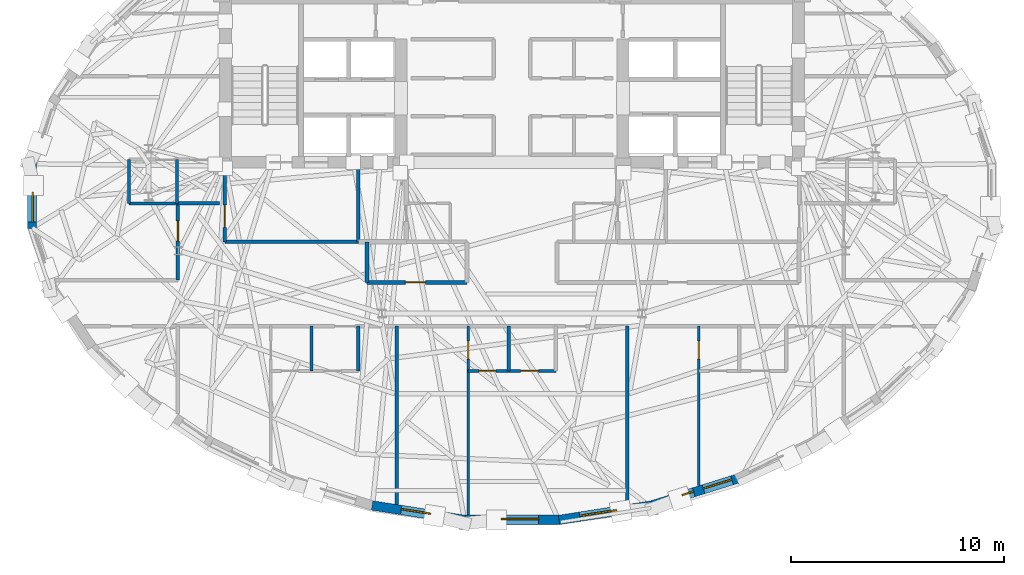
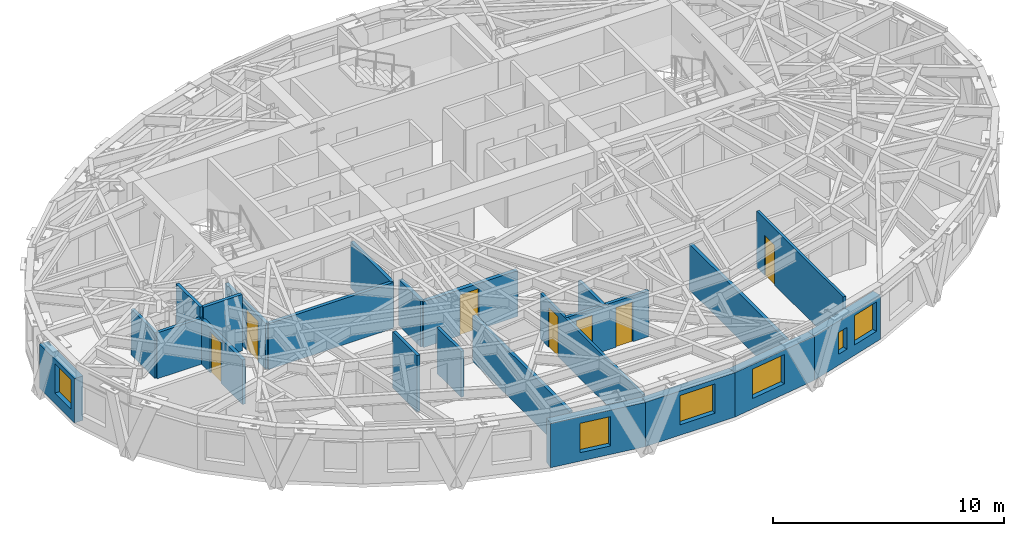
# One storey, part 6 of 14: 23 walls, 7 doors, 6 windows, 13 openings.
"""IFC4 building model written with IfcOpenShell, lengths in metres."""

from ifc_helpers import new_model, si_unit, direction, frame, frame_2d, origin, place, context, subcontext, project, spatial, rectangle, extrude, material, layer, layer_set, type_object, element, fill, save


model = new_model("IFC4")

# Units and contexts
model_context = context("Model", 3, precision=1e-05, world=origin(), true_north=direction((0.0, 1.0)))
body_context = subcontext(model_context, "Body", "Model", "MODEL_VIEW")
ifc_project = project(units=[si_unit("LENGTHUNIT", "METRE"), si_unit("AREAUNIT", "SQUARE_METRE"), si_unit("VOLUMEUNIT", "CUBIC_METRE"), si_unit("PLANEANGLEUNIT", "RADIAN"), si_unit("MASSUNIT", "GRAM", prefix="KILO")], contexts=[model_context])

# Site, building, storey
site_placement = place(None, origin())
site = spatial("IfcSite", under=ifc_project, at=site_placement, CompositionType="ELEMENT")
building_placement = place(site_placement, origin())
building = spatial("IfcBuilding", under=site, at=building_placement, Name="Keldmark Tower", CompositionType="ELEMENT")
storey_placement = place(building_placement, frame((0.0, 0.0, 225.75)))
storey = spatial("IfcBuildingStorey", under=building, at=storey_placement, Name="L63", CompositionType="ELEMENT", Elevation=225.75)

# Wall, opening, door
ifc_material_1 = material(Name="Heavy Acoustic Plumbing Chase Gypsum Assembly", Category="gypsum")
ifc_layer_1 = layer(ifc_material_1, 0.18994140625)
ifc_layer_set_1 = layer_set([ifc_layer_1], Name="Heavy Acoustic Plumbing Chase Gypsum Assembly")
wall_type_1 = type_object("IfcWallType", Name="Heavy Wet Wall 190 mm", PredefinedType="PLUMBINGWALL", material=ifc_layer_set_1)
wall_1_placement = place(storey_placement, frame((-6.800048828125, -4.050048828125, 0.0), z_axis=(0.0, 0.0, 1.0), x_axis=(1.0, 0.0, 0.0)))
wall_1 = element("IfcWall", 1, at=wall_1_placement, inside=storey, type_object=wall_type_1, Name="L63 Heavy Wet Wall 190 mm SPK-W-S", PredefinedType="PLUMBINGWALL", context=body_context, shape_type="SweptSolid", body=[
    extrude(rectangle(XDim=4.699951171875, YDim=0.18994140625, at=frame_2d((2.35009765625, 0.0))), origin(), (0.0, 0.0, 1.0), 2.423095703125),
])
opening_1_placement = place(wall_1_placement, frame((1.800048828125, 0.0, 0.0)))
opening_1 = element("IfcOpeningElement", 2, at=opening_1_placement, cuts=wall_1, Name="Opening D-AWC95", PredefinedType="OPENING", context=body_context, shape_type="SweptSolid", body=[
    extrude(rectangle(XDim=0.949951171875, YDim=2.14990234375, at=frame_2d((0.47509765625, 1.074951171875))), frame((0.0, 0.10498046875, 0.0), z_axis=(0.0, -1.0, 0.0), x_axis=(1.0, 0.0, 0.0)), (0.0, 0.0, 1.0), 0.2099609375),
])
ifc_material_2 = material(Name="Painted Solid-Core Architectural Wood", Category="wood")
door_type_1 = type_object("IfcDoorType", Name="Accessible WC Door 950x2150", OperationType="NOTDEFINED", PredefinedType="DOOR", material=ifc_material_2)
door_1_placement = place(opening_1_placement, origin())
door_1 = element("IfcDoor", 3, at=door_1_placement, inside=storey, type_object=door_type_1, Name="L63 Accessible WC Door 950x2150 D-SPKW1-L63", OperationType="SINGLE_SWING_LEFT", OverallHeight=2.14990234375, OverallWidth=0.949951171875, PredefinedType="DOOR", context=body_context, shape_type="SweptSolid", body=[
    extrude(rectangle(XDim=0.949951171875, YDim=2.14990234375, at=frame_2d((0.47509765625, 1.074951171875))), frame((0.0, 0.02490234375, 0.0), z_axis=(0.0, -1.0, 0.0), x_axis=(1.0, 0.0, 0.0)), (0.0, 0.0, 1.0), 0.050048828125),
])
fill(opening_1, door_1)

# Wall
wall_2_placement = place(storey_placement, frame((-6.800048828125, -4.050048828125, 0.0), z_axis=(0.0, 0.0, 1.0), x_axis=(0.0, 1.0, 0.0)))
element("IfcWall", 4, at=wall_2_placement, inside=storey, type_object=wall_type_1, Name="L63 Heavy Wet Wall 190 mm SPK-W-W", PredefinedType="PLUMBINGWALL", context=body_context, shape_type="SweptSolid", body=[
    extrude(rectangle(XDim=1.900146484375, YDim=0.18994140625, at=frame_2d((0.9501953125, 0.0))), origin(), (0.0, 0.0, 1.0), 2.423095703125),
])

# Wall, opening, door
ifc_material_3 = material(Name="Acoustic Gypsum Board Interior Partition", Category="gypsum")
ifc_layer_2 = layer(ifc_material_3, 0.1298828125)
ifc_layer_set_2 = layer_set([ifc_layer_2], Name="Acoustic Gypsum Board Interior Partition")
wall_type_2 = type_object("IfcWallType", Name="Interior Partition 130 mm", PredefinedType="PARTITIONING", material=ifc_layer_set_2)
wall_3_placement = place(storey_placement, frame((-2.050048828125, -14.95263671875, 0.0), z_axis=(0.0, 0.0, 1.0), x_axis=(0.0, 1.0, 0.0)))
wall_3 = element("IfcWall", 5, at=wall_3_placement, inside=storey, type_object=wall_type_2, Name="L63 Interior Partition 130 mm UB-BR1-E", PredefinedType="PARTITIONING", context=body_context, shape_type="SweptSolid", body=[
    extrude(rectangle(XDim=8.8525390625, YDim=0.1298828125, at=frame_2d((4.42626953125, 0.0))), origin(), (0.0, 0.0, 1.0), 2.423095703125),
])
opening_2_placement = place(wall_3_placement, frame((7.302978515625, 0.0, 0.0)))
opening_2 = element("IfcOpeningElement", 6, at=opening_2_placement, cuts=wall_3, Name="Opening D-BR085", PredefinedType="OPENING", context=body_context, shape_type="SweptSolid", body=[
    extrude(rectangle(XDim=0.85009765625, YDim=2.10009765625, at=frame_2d((0.425048828125, 1.050048828125))), frame((0.0, 0.074951171875, 0.0), z_axis=(0.0, -1.0, 0.0), x_axis=(1.0, 0.0, 0.0)), (0.0, 0.0, 1.0), 0.14990234375),
])
ifc_material_4 = material(Name="Solid-Core Stained Walnut Wood", Category="wood")
door_type_2 = type_object("IfcDoorType", Name="Bedroom Door 850x2100", OperationType="NOTDEFINED", PredefinedType="DOOR", material=ifc_material_4)
door_2_placement = place(opening_2_placement, origin())
door_2 = element("IfcDoor", 7, at=door_2_placement, inside=storey, type_object=door_type_2, Name="L63 Bedroom Door 850x2100 D-UB-BR1-L63", OperationType="SINGLE_SWING_RIGHT", OverallHeight=2.10009765625, OverallWidth=0.85009765625, PredefinedType="DOOR", context=body_context, shape_type="SweptSolid", body=[
    extrude(rectangle(XDim=0.85009765625, YDim=2.10009765625, at=frame_2d((0.425048828125, 1.050048828125))), frame((0.0, 0.02490234375, 0.0), z_axis=(0.0, -1.0, 0.0), x_axis=(1.0, 0.0, 0.0)), (0.0, 0.0, 1.0), 0.050048828125),
])
fill(opening_2, door_2)

wall_4_placement = place(storey_placement, frame((8.75, -13.57763671875, 0.0), z_axis=(0.0, 0.0, 1.0), x_axis=(0.0, 1.0, 0.0)))
wall_4 = element("IfcWall", 8, at=wall_4_placement, inside=storey, type_object=wall_type_2, Name="L63 Interior Partition 130 mm UC-BR1-E", PredefinedType="PARTITIONING", context=body_context, shape_type="SweptSolid", body=[
    extrude(rectangle(XDim=7.4775390625, YDim=0.1298828125, at=frame_2d((3.73876953125, 0.0))), origin(), (0.0, 0.0, 1.0), 2.969970703125),
])
opening_3_placement = place(wall_4_placement, frame((5.927490234375, 0.0, 0.0)))
opening_3 = element("IfcOpeningElement", 9, at=opening_3_placement, cuts=wall_4, Name="Opening D-BR085", PredefinedType="OPENING", context=body_context, shape_type="SweptSolid", body=[
    extrude(rectangle(XDim=0.85009765625, YDim=2.10009765625, at=frame_2d((0.425048828125, 1.050048828125))), frame((0.0, 0.074951171875, 0.0), z_axis=(0.0, -1.0, 0.0), x_axis=(1.0, 0.0, 0.0)), (0.0, 0.0, 1.0), 0.14990234375),
])
door_3_placement = place(opening_3_placement, origin())
door_3 = element("IfcDoor", 10, at=door_3_placement, inside=storey, type_object=door_type_2, Name="L63 Bedroom Door 850x2100 D-UC-BR1-L63", OperationType="SINGLE_SWING_RIGHT", OverallHeight=2.10009765625, OverallWidth=0.85009765625, PredefinedType="DOOR", context=body_context, shape_type="SweptSolid", body=[
    extrude(rectangle(XDim=0.85009765625, YDim=2.10009765625, at=frame_2d((0.425048828125, 1.050048828125))), frame((0.0, 0.02490234375, 0.0), z_axis=(0.0, -1.0, 0.0), x_axis=(1.0, 0.0, 0.0)), (0.0, 0.0, 1.0), 0.050048828125),
])
fill(opening_3, door_3)

# Wall
ifc_material_5 = material(Name="Type X Fire-Rated Gypsum Partition Assembly", Category="gypsum")
ifc_layer_3 = layer(ifc_material_5, 0.1650390625)
ifc_layer_set_3 = layer_set([ifc_layer_3], Name="Type X Fire-Rated Gypsum Partition Assembly")
wall_type_3 = type_object("IfcWallType", Name="Rated Partition 165 mm", PredefinedType="PARTITIONING", material=ifc_layer_set_3)
wall_5_placement = place(storey_placement, frame((-13.449951171875, -2.14990234375, 0.0), z_axis=(0.0, 0.0, 1.0), x_axis=(1.0, 0.0, 0.0)))
element("IfcWall", 11, at=wall_5_placement, inside=storey, type_object=wall_type_3, Name="L63 Rated Partition 165 mm FSAE-W-S", PredefinedType="PARTITIONING", context=body_context, shape_type="SweptSolid", body=[
    extrude(rectangle(XDim=6.25, YDim=0.1650390625, at=frame_2d((3.125, 0.0))), origin(), (0.0, 0.0, 1.0), 2.423095703125),
])

# Wall, opening, door
wall_6_placement = place(storey_placement, frame((-13.449951171875, -2.14990234375, 0.0), z_axis=(0.0, 0.0, 1.0), x_axis=(0.0, 1.0, 0.0)))
wall_6 = element("IfcWall", 12, at=wall_6_placement, inside=storey, type_object=wall_type_3, Name="L63 Rated Partition 165 mm FSAE-W-W", PredefinedType="PARTITIONING", context=body_context, shape_type="SweptSolid", body=[
    extrude(rectangle(XDim=3.5, YDim=0.1650390625, at=frame_2d((1.75, 0.0))), origin(), (0.0, 0.0, 1.0), 2.423095703125),
])
opening_4_placement = place(wall_6_placement, frame((0.669921875, 0.0, 0.0)))
opening_4 = element("IfcOpeningElement", 13, at=opening_4_placement, cuts=wall_6, Name="Opening D-FL105", PredefinedType="OPENING", context=body_context, shape_type="SweptSolid", body=[
    extrude(rectangle(XDim=1.050048828125, YDim=2.14990234375, at=frame_2d((0.52490234375, 1.074951171875))), frame((0.0, 0.092529296875, 0.0), z_axis=(0.0, -1.0, 0.0), x_axis=(1.0, 0.0, 0.0)), (0.0, 0.0, 1.0), 0.18505859375),
])
ifc_material_6 = material(Name="Fire-Rated Mineral-Core Door and Vision Lite", Category="metal")
door_type_3 = type_object("IfcDoorType", Name="Fire Lobby Door 1050x2150", OperationType="NOTDEFINED", PredefinedType="DOOR", material=ifc_material_6)
door_4_placement = place(opening_4_placement, origin())
door_4 = element("IfcDoor", 14, at=door_4_placement, inside=storey, type_object=door_type_3, Name="L63 Fire Lobby Door 1050x2150 D-FSAEW-OUT-L63", OperationType="SINGLE_SWING_LEFT", OverallHeight=2.14990234375, OverallWidth=1.050048828125, PredefinedType="DOOR", context=body_context, shape_type="SweptSolid", body=[
    extrude(rectangle(XDim=1.050048828125, YDim=2.14990234375, at=frame_2d((0.52490234375, 1.074951171875))), frame((0.0, 0.02490234375, 0.0), z_axis=(0.0, -1.0, 0.0), x_axis=(1.0, 0.0, 0.0)), (0.0, 0.0, 1.0), 0.050048828125),
])
fill(opening_4, door_4)

# Wall
wall_7_placement = place(storey_placement, frame((-7.199951171875, -2.14990234375, 0.0), z_axis=(0.0, 0.0, 1.0), x_axis=(0.0, 1.0, 0.0)))
element("IfcWall", 15, at=wall_7_placement, inside=storey, type_object=wall_type_3, Name="L63 Rated Partition 165 mm FSAE-W-E", PredefinedType="PARTITIONING", context=body_context, shape_type="SweptSolid", body=[
    extrude(rectangle(XDim=3.5, YDim=0.1650390625, at=frame_2d((1.75, 0.0))), origin(), (0.0, 0.0, 1.0), 2.423095703125),
])

# Wall, opening, door
wall_8_placement = place(storey_placement, frame((-15.64990234375, -3.949951171875, 0.0), z_axis=(0.0, 0.0, 1.0), x_axis=(0.0, 1.0, 0.0)))
wall_8 = element("IfcWall", 16, at=wall_8_placement, inside=storey, type_object=wall_type_3, Name="L63 Rated Partition 165 mm RCOR-VW", PredefinedType="PARTITIONING", context=body_context, shape_type="SweptSolid", body=[
    extrude(rectangle(XDim=3.599853515625, YDim=0.1650390625, at=frame_2d((1.7998046875, 0.0))), origin(), (0.0, 0.0, 1.0), 2.35693359375),
])
opening_5_placement = place(wall_8_placement, frame((1.830078125, 0.0, 0.0)))
opening_5 = element("IfcOpeningElement", 17, at=opening_5_placement, cuts=wall_8, Name="Opening D-AP095", PredefinedType="OPENING", context=body_context, shape_type="SweptSolid", body=[
    extrude(rectangle(XDim=0.949951171875, YDim=2.14990234375, at=frame_2d((0.47509765625, 1.074951171875))), frame((0.0, 0.092529296875, 0.0), z_axis=(0.0, -1.0, 0.0), x_axis=(1.0, 0.0, 0.0)), (0.0, 0.0, 1.0), 0.18505859375),
])
ifc_material_7 = material(Name="Solid-Core Walnut Fire-Rated Entry Assembly", Category="wood")
door_type_4 = type_object("IfcDoorType", Name="Apartment Entry Door 950x2150", OperationType="NOTDEFINED", PredefinedType="DOOR", material=ifc_material_7)
door_5_placement = place(opening_5_placement, origin())
door_5 = element("IfcDoor", 18, at=door_5_placement, inside=storey, type_object=door_type_4, Name="L63 Apartment Entry Door 950x2150 D-UD-ENT-L63", OperationType="SINGLE_SWING_RIGHT", OverallHeight=2.14990234375, OverallWidth=0.949951171875, PredefinedType="DOOR", context=body_context, shape_type="SweptSolid", body=[
    extrude(rectangle(XDim=0.949951171875, YDim=2.14990234375, at=frame_2d((0.47509765625, 1.074951171875))), frame((0.0, 0.02490234375, 0.0), z_axis=(0.0, -1.0, 0.0), x_axis=(1.0, 0.0, 0.0)), (0.0, 0.0, 1.0), 0.050048828125),
])
fill(opening_5, door_5)

# Walls
wall_9_placement = place(storey_placement, frame((-15.64990234375, -0.35009765625, 0.0), z_axis=(0.0, 0.0, 1.0), x_axis=(1.0, 0.0, 0.0)))
element("IfcWall", 19, at=wall_9_placement, inside=storey, type_object=wall_type_3, Name="L63 Rated Partition 165 mm RCOR-VWN", PredefinedType="PARTITIONING", context=body_context, shape_type="SweptSolid", body=[
    extrude(rectangle(XDim=1.949951171875, YDim=0.1650390625, at=frame_2d((0.97509765625, 0.0))), origin(), (0.0, 0.0, 1.0), 2.969970703125),
])
for number, where, z_axis, x_axis, name in (
    (20, (-5.39990234375, -14.45361328125, 0.0), (0.0, 0.0, 1.0), (0.0, 1.0, 0.0), "L63 Rated Partition 165 mm RS-DIV-1"),
    (21, (5.39990234375, -14.45361328125, 0.0), (0.0, 0.0, 1.0), (0.0, 1.0, 0.0), "L63 Rated Partition 165 mm RS-DIV-2"),
):
    element("IfcWall", number, at=place(storey_placement, frame(where, z_axis=z_axis, x_axis=x_axis)), inside=storey, type_object=wall_type_3, Name=name, PredefinedType="PARTITIONING", context=body_context, shape_type="SweptSolid", body=[
        extrude(rectangle(XDim=8.353515625, YDim=0.1650390625, at=frame_2d((4.1767578125, 0.0))), origin(), (0.0, 0.0, 1.0), 2.423095703125),
    ])

# Wall, opening, window
ifc_material_8 = material(Name="Ironspot Manganese Brick and Kasota Buff Limestone Spandrel Assembly", Category="masonry")
ifc_layer_4 = layer(ifc_material_8, 0.43994140625)
ifc_layer_set_4 = layer_set([ifc_layer_4], Name="Ironspot Manganese Brick and Kasota Buff Limestone Spandrel Assembly")
wall_type_4 = type_object("IfcWallType", Name="Tower Brick Pier and Spandrel Wall 440 mm", PredefinedType="STANDARD", material=ifc_layer_set_4)
wall_10_placement = place(storey_placement, frame((-22.4892578125, -1.516845703125, 0.0), z_axis=(0.0, 0.0, 1.0), x_axis=(0.0, 1.0, 0.0)))
wall_10 = element("IfcWall", 22, at=wall_10_placement, inside=storey, type_object=wall_type_4, Name="L63 Exterior Brick and Spandrel Wall 16", PredefinedType="STANDARD", context=body_context, shape_type="SweptSolid", body=[
    extrude(rectangle(XDim=3.03369140625, YDim=0.43994140625, at=frame_2d((1.516845703125, 0.0))), origin(), (0.0, 0.0, 1.0), 2.3359375),
])
opening_6_placement = place(wall_10_placement, frame((0.298583984375, 0.0, 0.550048828125)))
opening_6 = element("IfcOpeningElement", 23, at=opening_6_placement, cuts=wall_10, Name="Opening W-08", PredefinedType="OPENING", context=body_context, shape_type="SweptSolid", body=[
    extrude(rectangle(XDim=1.39990234375, YDim=1.550048828125, at=frame_2d((0.699951171875, 0.77490234375))), frame((0.0, 0.22998046875, 0.0), z_axis=(0.0, -1.0, 0.0), x_axis=(1.0, 0.0, 0.0)), (0.0, 0.0, 1.0), 0.4599609375),
])
ifc_material_9 = material(Name="Thermally Broken Anodized Aluminum and Triple Low-E Argon Glazing", Category="aluminium")
window_type_1 = type_object("IfcWindowType", Name="Residential Corner Punched Window 1400x1550", PartitioningType="SINGLE_PANEL", PredefinedType="WINDOW", material=ifc_material_9)
window_1_placement = place(opening_6_placement, origin())
window_1 = element("IfcWindow", 24, at=window_1_placement, inside=storey, type_object=window_type_1, Name="L63 Deep-Set Window 16", OverallHeight=1.550048828125, OverallWidth=1.39990234375, PartitioningType="SINGLE_PANEL", PredefinedType="WINDOW", context=body_context, shape_type="SweptSolid", body=[
    extrude(rectangle(XDim=1.39990234375, YDim=1.550048828125, at=frame_2d((0.699951171875, 0.77490234375))), frame((0.0, -0.010009765625, 0.0), z_axis=(0.0, -1.0, 0.0), x_axis=(1.0, 0.0, 0.0)), (0.0, 0.0, 1.0), 0.06005859375),
])
fill(opening_6, window_1)

wall_11_placement = place(storey_placement, frame((-2.202880859375, -15.183349609375, 0.0), z_axis=(0.0, 0.0, 1.0), x_axis=(-0.988037139715, 0.154216116355, 0.0)))
wall_11 = element("IfcWall", 25, at=wall_11_placement, inside=storey, type_object=wall_type_4, Name="L63 Exterior Brick and Spandrel Wall 23", PredefinedType="STANDARD", context=body_context, shape_type="SweptSolid", body=[
    extrude(rectangle(XDim=4.401123046875, YDim=0.43994140625, at=frame_2d((2.20068359375, 0.0))), origin(), (0.0, 0.0, 1.0), 2.3359375),
])
opening_7_placement = place(wall_11_placement, frame((1.623291015625, 0.0, 0.449951171875)))
opening_7 = element("IfcOpeningElement", 26, at=opening_7_placement, cuts=wall_11, Name="Opening W-08", PredefinedType="OPENING", context=body_context, shape_type="SweptSolid", body=[
    extrude(rectangle(XDim=1.39990234375, YDim=1.550048828125, at=frame_2d((0.699951171875, 0.77490234375))), frame((0.0, 0.22998046875, 0.0), z_axis=(0.0, -1.0, 0.0), x_axis=(1.0, 0.0, 0.0)), (0.0, 0.0, 1.0), 0.4599609375),
])
window_2_placement = place(opening_7_placement, origin())
window_2 = element("IfcWindow", 27, at=window_2_placement, inside=storey, type_object=window_type_1, Name="L63 Deep-Set Window 23", OverallHeight=1.550048828125, OverallWidth=1.39990234375, PartitioningType="SINGLE_PANEL", PredefinedType="WINDOW", context=body_context, shape_type="SweptSolid", body=[
    extrude(rectangle(XDim=1.39990234375, YDim=1.550048828125, at=frame_2d((0.699951171875, 0.77490234375))), frame((0.0, -0.010009765625, 0.0), z_axis=(0.0, -1.0, 0.0), x_axis=(1.0, 0.0, 0.0)), (0.0, 0.0, 1.0), 0.06005859375),
])
fill(opening_7, window_2)

wall_12_placement = place(storey_placement, frame((2.23681640625, -15.1806640625, 0.0), z_axis=(0.0, 0.0, 1.0), x_axis=(-1.0, 0.0, 0.0)))
wall_12 = element("IfcWall", 28, at=wall_12_placement, inside=storey, type_object=wall_type_4, Name="L63 Exterior Brick and Spandrel Wall 24", PredefinedType="STANDARD", context=body_context, shape_type="SweptSolid", body=[
    extrude(rectangle(XDim=4.4736328125, YDim=0.43994140625, at=frame_2d((2.23681640625, 0.0))), origin(), (0.0, 0.0, 1.0), 2.3359375),
])
opening_8_placement = place(wall_12_placement, frame((0.990966796875, 0.0, 0.550048828125)))
opening_8 = element("IfcOpeningElement", 29, at=opening_8_placement, cuts=wall_12, Name="Opening W-05", PredefinedType="OPENING", context=body_context, shape_type="SweptSolid", body=[
    extrude(rectangle(XDim=1.75, YDim=1.550048828125, at=frame_2d((0.875, 0.77490234375))), frame((0.0, 0.22998046875, 0.0), z_axis=(0.0, -1.0, 0.0), x_axis=(1.0, 0.0, 0.0)), (0.0, 0.0, 1.0), 0.4599609375),
])
ifc_material_10 = material(Name="Thermally Broken Anodized Aluminum and Triple Low-E Argon Glazing", Category="aluminium")
window_type_2 = type_object("IfcWindowType", Name="Residential Deep-Set Window 1750x1550", PartitioningType="DOUBLE_PANEL_VERTICAL", PredefinedType="WINDOW", material=ifc_material_10)
window_3_placement = place(opening_8_placement, origin())
window_3 = element("IfcWindow", 30, at=window_3_placement, inside=storey, type_object=window_type_2, Name="L63 Deep-Set Window 24", OverallHeight=1.550048828125, OverallWidth=1.75, PartitioningType="SINGLE_PANEL", PredefinedType="WINDOW", context=body_context, shape_type="SweptSolid", body=[
    extrude(rectangle(XDim=1.75, YDim=1.550048828125, at=frame_2d((0.875, 0.77490234375))), frame((0.0, -0.010009765625, 0.0), z_axis=(0.0, -1.0, 0.0), x_axis=(1.0, 0.0, 0.0)), (0.0, 0.0, 1.0), 0.06005859375),
])
fill(opening_8, window_3)

wall_13_placement = place(storey_placement, frame((6.55126953125, -14.504638671875, 0.0), z_axis=(0.0, 0.0, 1.0), x_axis=(-0.988037139715, -0.154216116355, 0.0)))
wall_13 = element("IfcWall", 31, at=wall_13_placement, inside=storey, type_object=wall_type_4, Name="L63 Exterior Brick and Spandrel Wall 25", PredefinedType="STANDARD", context=body_context, shape_type="SweptSolid", body=[
    extrude(rectangle(XDim=4.401123046875, YDim=0.43994140625, at=frame_2d((2.20068359375, 0.0))), origin(), (0.0, 0.0, 1.0), 2.3359375),
])
opening_9_placement = place(wall_13_placement, frame((1.668212890625, 0.0, 0.550048828125)))
opening_9 = element("IfcOpeningElement", 32, at=opening_9_placement, cuts=wall_13, Name="Opening W-05", PredefinedType="OPENING", context=body_context, shape_type="SweptSolid", body=[
    extrude(rectangle(XDim=1.75, YDim=1.550048828125, at=frame_2d((0.875, 0.77490234375))), frame((0.0, 0.22998046875, 0.0), z_axis=(0.0, -1.0, 0.0), x_axis=(1.0, 0.0, 0.0)), (0.0, 0.0, 1.0), 0.4599609375),
])
window_4_placement = place(opening_9_placement, origin())
window_4 = element("IfcWindow", 33, at=window_4_placement, inside=storey, type_object=window_type_2, Name="L63 Deep-Set Window 25", OverallHeight=1.550048828125, OverallWidth=1.75, PartitioningType="SINGLE_PANEL", PredefinedType="WINDOW", context=body_context, shape_type="SweptSolid", body=[
    extrude(rectangle(XDim=1.75, YDim=1.550048828125, at=frame_2d((0.875, 0.77490234375))), frame((0.0, -0.010009765625, 0.0), z_axis=(0.0, -1.0, 0.0), x_axis=(1.0, 0.0, 0.0)), (0.0, 0.0, 1.0), 0.06005859375),
])
fill(opening_9, window_4)

# Wall, openings, windows
wall_14_placement = place(storey_placement, frame((10.5478515625, -13.255859375, 0.0), z_axis=(0.0, 0.0, 1.0), x_axis=(-0.954643532685, -0.297751113352, 0.0)))
wall_14 = element("IfcWall", 34, at=wall_14_placement, inside=storey, type_object=wall_type_4, Name="L63 Exterior Brick and Spandrel Wall 26", PredefinedType="STANDARD", context=body_context, shape_type="SweptSolid", body=[
    extrude(rectangle(XDim=4.219482421875, YDim=0.43994140625, at=frame_2d((2.10986328125, 0.0))), origin(), (0.0, 0.0, 1.0), 2.3359375),
])
opening_10_placement = place(wall_14_placement, frame((0.24951171875, 0.0, 0.550048828125)))
opening_10 = element("IfcOpeningElement", 35, at=opening_10_placement, cuts=wall_14, Name="Opening W-08", PredefinedType="OPENING", context=body_context, shape_type="SweptSolid", body=[
    extrude(rectangle(XDim=1.39990234375, YDim=1.550048828125, at=frame_2d((0.699951171875, 0.77490234375))), frame((0.0, 0.22998046875, 0.0), z_axis=(0.0, -1.0, 0.0), x_axis=(1.0, 0.0, 0.0)), (0.0, 0.0, 1.0), 0.4599609375),
])
opening_11_placement = place(wall_14_placement, frame((2.1279296875, 0.0, 0.580078125)))
opening_11 = element("IfcOpeningElement", 36, at=opening_11_placement, cuts=wall_14, Name="Opening W-10", PredefinedType="OPENING", context=body_context, shape_type="SweptSolid", body=[
    extrude(rectangle(XDim=0.56005859375, YDim=1.14990234375, at=frame_2d((0.280029296875, 0.574951171875))), frame((0.0, 0.22998046875, 0.0), z_axis=(0.0, -1.0, 0.0), x_axis=(1.0, 0.0, 0.0)), (0.0, 0.0, 1.0), 0.4599609375),
])
ifc_material_11 = material(Name="Thermally Broken Anodized Aluminum and Triple Low-E Argon Glazing", Category="aluminium")
window_type_3 = type_object("IfcWindowType", Name="Narrow Pier Lancet Window 560x1150", PartitioningType="SINGLE_PANEL", PredefinedType="WINDOW", material=ifc_material_11)
window_5_placement = place(opening_11_placement, origin())
window_5 = element("IfcWindow", 37, at=window_5_placement, inside=storey, type_object=window_type_3, Name="L63 Pier Window RM01", OverallHeight=1.14990234375, OverallWidth=0.56005859375, PartitioningType="SINGLE_PANEL", PredefinedType="WINDOW", context=body_context, shape_type="SweptSolid", body=[
    extrude(rectangle(XDim=0.56005859375, YDim=1.14990234375, at=frame_2d((0.280029296875, 0.574951171875))), frame((0.0, -0.010009765625, 0.0), z_axis=(0.0, -1.0, 0.0), x_axis=(1.0, 0.0, 0.0)), (0.0, 0.0, 1.0), 0.06005859375),
])
fill(opening_11, window_5)
window_6_placement = place(opening_10_placement, origin())
window_6 = element("IfcWindow", 38, at=window_6_placement, inside=storey, type_object=window_type_1, Name="L63 Deep-Set Window 26", OverallHeight=1.550048828125, OverallWidth=1.39990234375, PartitioningType="SINGLE_PANEL", PredefinedType="WINDOW", context=body_context, shape_type="SweptSolid", body=[
    extrude(rectangle(XDim=1.39990234375, YDim=1.550048828125, at=frame_2d((0.699951171875, 0.77490234375))), frame((0.0, -0.010009765625, 0.0), z_axis=(0.0, -1.0, 0.0), x_axis=(1.0, 0.0, 0.0)), (0.0, 0.0, 1.0), 0.06005859375),
])
fill(opening_10, window_6)

# Walls
ifc_material_12 = material(Name="Moisture-Resistant Gypsum Plumbing Partition", Category="gypsum")
ifc_layer_5 = layer(ifc_material_12, 0.14990234375)
ifc_layer_set_5 = layer_set([ifc_layer_5], Name="Moisture-Resistant Gypsum Plumbing Partition")
wall_type_5 = type_object("IfcWallType", Name="Wet Wall 150 mm", PredefinedType="PLUMBINGWALL", material=ifc_layer_set_5)
wall_15_placement = place(storey_placement, frame((-9.39990234375, -8.199951171875, 0.0), z_axis=(0.0, 0.0, 1.0), x_axis=(0.0, 1.0, 0.0)))
element("IfcWall", 39, at=wall_15_placement, inside=storey, type_object=wall_type_5, Name="L63 Wet Wall 150 mm UA-BK-M", PredefinedType="PLUMBINGWALL", context=body_context, shape_type="SweptSolid", body=[
    extrude(rectangle(XDim=2.099853515625, YDim=0.14990234375, at=frame_2d((1.0498046875, 0.0))), origin(), (0.0, 0.0, 1.0), 2.969970703125),
])
wall_16_placement = place(storey_placement, frame((-7.199951171875, -8.199951171875, 0.0), z_axis=(0.0, 0.0, 1.0), x_axis=(0.0, 1.0, 0.0)))
element("IfcWall", 40, at=wall_16_placement, inside=storey, type_object=wall_type_5, Name="L63 Wet Wall 150 mm UA-BK-E", PredefinedType="PLUMBINGWALL", context=body_context, shape_type="SweptSolid", body=[
    extrude(rectangle(XDim=2.099853515625, YDim=0.14990234375, at=frame_2d((1.0498046875, 0.0))), origin(), (0.0, 0.0, 1.0), 2.423095703125),
])

# Wall, openings, doors
wall_17_placement = place(storey_placement, frame((-2.050048828125, -8.199951171875, 0.0), z_axis=(0.0, 0.0, 1.0), x_axis=(1.0, 0.0, 0.0)))
wall_17 = element("IfcWall", 41, at=wall_17_placement, inside=storey, type_object=wall_type_5, Name="L63 Wet Wall 150 mm UB-BK-S", PredefinedType="PLUMBINGWALL", context=body_context, shape_type="SweptSolid", body=[
    extrude(rectangle(XDim=4.10009765625, YDim=0.14990234375, at=frame_2d((2.050048828125, 0.0))), origin(), (0.0, 0.0, 1.0), 2.423095703125),
])
opening_12_placement = place(wall_17_placement, frame((0.5, 0.0, 0.0)))
opening_12 = element("IfcOpeningElement", 42, at=opening_12_placement, cuts=wall_17, Name="Opening D-BT080", PredefinedType="OPENING", context=body_context, shape_type="SweptSolid", body=[
    extrude(rectangle(XDim=0.800048828125, YDim=2.10009765625, at=frame_2d((0.39990234375, 1.050048828125))), frame((0.0, 0.0849609375, 0.0), z_axis=(0.0, -1.0, 0.0), x_axis=(1.0, 0.0, 0.0)), (0.0, 0.0, 1.0), 0.169921875),
])
opening_13_placement = place(wall_17_placement, frame((2.449951171875, 0.0, 0.0)))
opening_13 = element("IfcOpeningElement", 43, at=opening_13_placement, cuts=wall_17, Name="Opening D-IN085", PredefinedType="OPENING", context=body_context, shape_type="SweptSolid", body=[
    extrude(rectangle(XDim=0.85009765625, YDim=2.10009765625, at=frame_2d((0.425048828125, 1.050048828125))), frame((0.0, 0.0849609375, 0.0), z_axis=(0.0, -1.0, 0.0), x_axis=(1.0, 0.0, 0.0)), (0.0, 0.0, 1.0), 0.169921875),
])
ifc_material_13 = material(Name="Moisture-Sealed Stained Wood", Category="wood")
door_type_5 = type_object("IfcDoorType", Name="Bathroom Door 800x2100", OperationType="NOTDEFINED", PredefinedType="DOOR", material=ifc_material_13)
door_6_placement = place(opening_12_placement, origin())
door_6 = element("IfcDoor", 44, at=door_6_placement, inside=storey, type_object=door_type_5, Name="L63 Bathroom Door 800x2100 D-UB-BATH-L63", OperationType="SINGLE_SWING_LEFT", OverallHeight=2.10009765625, OverallWidth=0.800048828125, PredefinedType="DOOR", context=body_context, shape_type="SweptSolid", body=[
    extrude(rectangle(XDim=0.800048828125, YDim=2.10009765625, at=frame_2d((0.39990234375, 1.050048828125))), frame((0.0, 0.02490234375, 0.0), z_axis=(0.0, -1.0, 0.0), x_axis=(1.0, 0.0, 0.0)), (0.0, 0.0, 1.0), 0.050048828125),
])
fill(opening_12, door_6)
ifc_material_14 = material(Name="Painted Architectural Wood", Category="wood")
door_type_6 = type_object("IfcDoorType", Name="Interior Door 850x2100", OperationType="NOTDEFINED", PredefinedType="DOOR", material=ifc_material_14)
door_7_placement = place(opening_13_placement, origin())
door_7 = element("IfcDoor", 45, at=door_7_placement, inside=storey, type_object=door_type_6, Name="L63 Interior Door 850x2100 D-UB-KIT-L63", OperationType="SINGLE_SWING_RIGHT", OverallHeight=2.10009765625, OverallWidth=0.85009765625, PredefinedType="DOOR", context=body_context, shape_type="SweptSolid", body=[
    extrude(rectangle(XDim=0.85009765625, YDim=2.10009765625, at=frame_2d((0.425048828125, 1.050048828125))), frame((0.0, 0.02490234375, 0.0), z_axis=(0.0, -1.0, 0.0), x_axis=(1.0, 0.0, 0.0)), (0.0, 0.0, 1.0), 0.050048828125),
])
fill(opening_13, door_7)

# Walls
wall_18_placement = place(storey_placement, frame((-0.14990234375, -8.199951171875, 0.0), z_axis=(0.0, 0.0, 1.0), x_axis=(0.0, 1.0, 0.0)))
element("IfcWall", 46, at=wall_18_placement, inside=storey, type_object=wall_type_5, Name="L63 Wet Wall 150 mm UB-BK-M", PredefinedType="PLUMBINGWALL", context=body_context, shape_type="SweptSolid", body=[
    extrude(rectangle(XDim=2.099853515625, YDim=0.14990234375, at=frame_2d((1.0498046875, 0.0))), origin(), (0.0, 0.0, 1.0), 2.423095703125),
])
wall_19_placement = place(storey_placement, frame((-17.949951171875, -0.35009765625, 0.0), z_axis=(0.0, 0.0, 1.0), x_axis=(1.0, 0.0, 0.0)))
element("IfcWall", 47, at=wall_19_placement, inside=storey, type_object=wall_type_5, Name="L63 Wet Wall 150 mm UD-BK-S", PredefinedType="PLUMBINGWALL", context=body_context, shape_type="SweptSolid", body=[
    extrude(rectangle(XDim=2.300048828125, YDim=0.14990234375, at=frame_2d((1.14990234375, 0.0))), origin(), (0.0, 0.0, 1.0), 2.423095703125),
])
wall_20_placement = place(storey_placement, frame((-15.699951171875, -0.35009765625, 0.0), z_axis=(0.0, 0.0, 1.0), x_axis=(0.0, 1.0, 0.0)))
element("IfcWall", 48, at=wall_20_placement, inside=storey, type_object=wall_type_5, Name="L63 Wet Wall 150 mm UD-BK-M", PredefinedType="PLUMBINGWALL", context=body_context, shape_type="SweptSolid", body=[
    extrude(rectangle(XDim=2.050048828125, YDim=0.14990234375, at=frame_2d((1.02490234375, 0.0))), origin(), (0.0, 0.0, 1.0), 2.969970703125),
])
wall_21_placement = place(storey_placement, frame((-17.949951171875, -0.35009765625, 0.0), z_axis=(0.0, 0.0, 1.0), x_axis=(0.0, 1.0, 0.0)))
element("IfcWall", 49, at=wall_21_placement, inside=storey, type_object=wall_type_5, Name="L63 Wet Wall 150 mm UD-BK-OUT", PredefinedType="PLUMBINGWALL", context=body_context, shape_type="SweptSolid", body=[
    extrude(rectangle(XDim=2.050048828125, YDim=0.14990234375, at=frame_2d((1.02490234375, 0.0))), origin(), (0.0, 0.0, 1.0), 2.423095703125),
])

save(model, "model.ifc")
